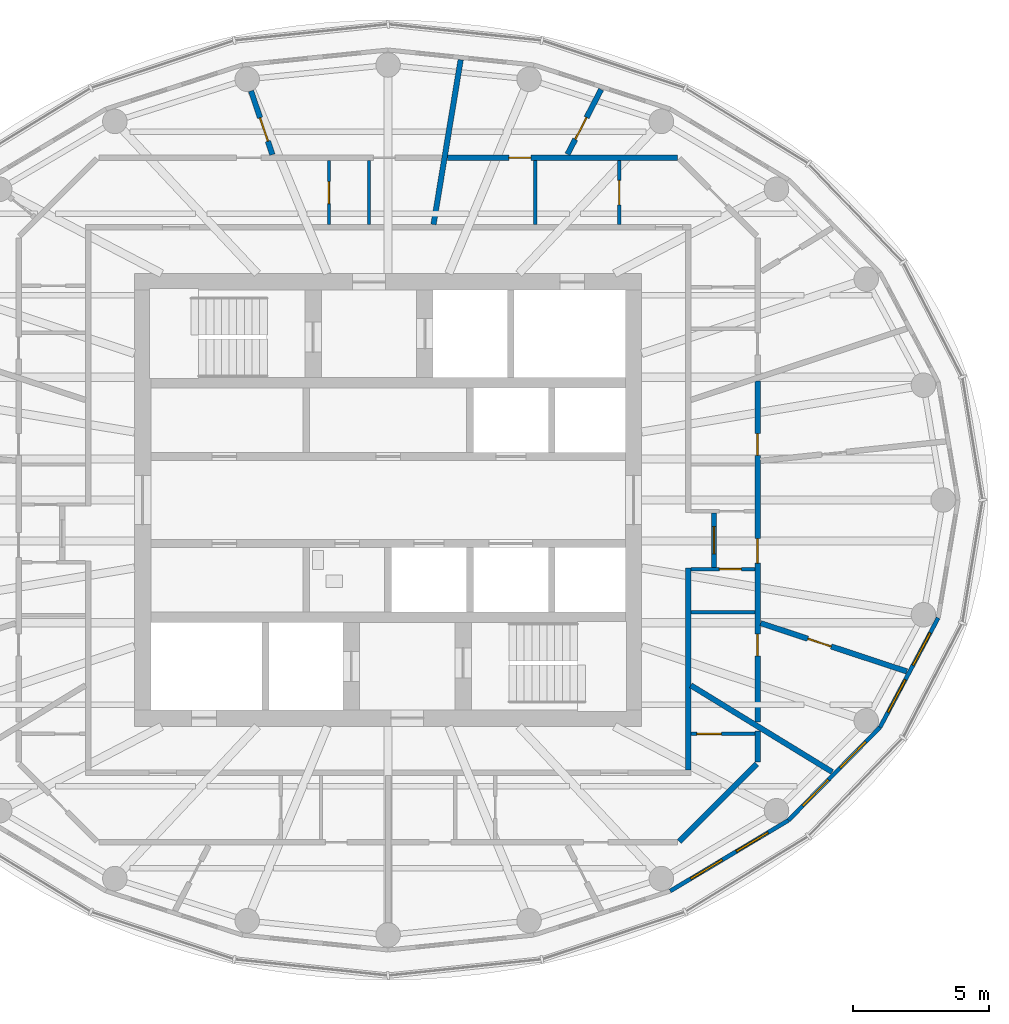
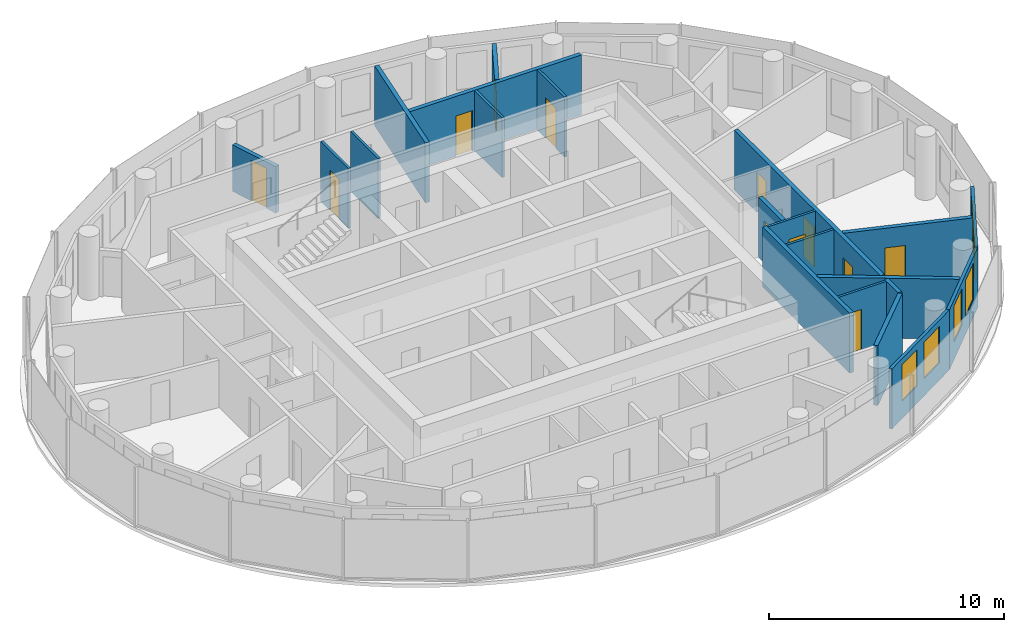
# One storey, part 8 of 12: 21 walls, 12 doors, 6 windows, 18 openings.
"""IFC4 building model written with IfcOpenShell, lengths in metres."""

from ifc_helpers import new_model, si_unit, direction, frame, frame_2d, origin, place, context, subcontext, project, spatial, rectangle, extrude, material, layer, layer_set, type_object, element, fill, save


model = new_model("IFC4")

# Units and contexts
model_context = context("Model", 3, precision=1e-05, world=origin(), true_north=direction((0.0, 1.0)))
body_context = subcontext(model_context, "Body", "Model", "MODEL_VIEW")
ifc_project = project(units=[si_unit("LENGTHUNIT", "METRE"), si_unit("AREAUNIT", "SQUARE_METRE"), si_unit("VOLUMEUNIT", "CUBIC_METRE"), si_unit("PLANEANGLEUNIT", "RADIAN"), si_unit("MASSUNIT", "GRAM", prefix="KILO")], contexts=[model_context])

# Site, building, storey
site_placement = place(None, origin())
site = spatial("IfcSite", under=ifc_project, at=site_placement, CompositionType="ELEMENT")
building_placement = place(site_placement, origin())
building = spatial("IfcBuilding", under=site, at=building_placement, Name="Hankou Lantern Tower", CompositionType="ELEMENT")
storey_placement = place(building_placement, frame((0.0, 0.0, 222.60009765625)))
storey = spatial("IfcBuildingStorey", under=building, at=storey_placement, Name="L60", CompositionType="ELEMENT", Elevation=222.60009765625)

# Wall, openings, windows
ifc_material_1 = material(Name="Aluminium spandrel panel on steel studs", Category="steel")
ifc_layer_1 = layer(ifc_material_1, 0.14990234375)
ifc_layer_set_1 = layer_set([ifc_layer_1], Name="Aluminium spandrel panel on steel studs")
wall_type_1 = type_object("IfcWallType", Name="EW1 INNER SKIN WALL 150", PredefinedType="ELEMENTEDWALL", material=ifc_layer_set_1)
wall_1_placement = place(storey_placement, frame((10.346435546875, -14.33642578125, 0.0), z_axis=(0.0, 0.0, 1.0), x_axis=(0.85822150553, 0.513279502265, 0.0)))
wall_1 = element("IfcWall", 1, at=wall_1_placement, inside=storey, type_object=wall_type_1, Name="Inner skin R21-R22 L60", PredefinedType="ELEMENTEDWALL", context=body_context, shape_type="SweptSolid", body=[
    extrude(rectangle(XDim=5.050048828125, YDim=0.14990234375, at=frame_2d((2.52490234375, 0.0))), origin(), (0.0, 0.0, 1.0), 3.119873046875),
])
opening_1_placement = place(wall_1_placement, frame((0.875, 0.0, 0.89990234375)))
opening_1 = element("IfcOpeningElement", 2, at=opening_1_placement, cuts=wall_1, Name="Opening W4", PredefinedType="OPENING", context=body_context, shape_type="SweptSolid", body=[
    extrude(rectangle(XDim=1.35009765625, YDim=1.89990234375, at=frame_2d((0.675048828125, 0.949951171875))), frame((0.0, 0.0849609375, 0.0), z_axis=(0.0, -1.0, 0.0), x_axis=(1.0, 0.0, 0.0)), (0.0, 0.0, 1.0), 0.169921875),
])
opening_2_placement = place(wall_1_placement, frame((2.824951171875, 0.0, 0.89990234375)))
opening_2 = element("IfcOpeningElement", 3, at=opening_2_placement, cuts=wall_1, Name="Opening W4", PredefinedType="OPENING", context=body_context, shape_type="SweptSolid", body=[
    extrude(rectangle(XDim=1.35009765625, YDim=1.89990234375, at=frame_2d((0.675048828125, 0.949951171875))), frame((0.0, 0.0849609375, 0.0), z_axis=(0.0, -1.0, 0.0), x_axis=(1.0, 0.0, 0.0)), (0.0, 0.0, 1.0), 0.169921875),
])
ifc_material_2 = material(Name="Aluminium framed double glazed window", Category="aluminium")
window_type = type_object("IfcWindowType", Name="W4 SUITE WINDOW 1350X1900", PartitioningType="DOUBLE_PANEL_VERTICAL", PredefinedType="WINDOW", material=ifc_material_2)
window_1_placement = place(opening_1_placement, origin())
window_1 = element("IfcWindow", 4, at=window_1_placement, inside=storey, type_object=window_type, Name="Window R21.1 L60", OverallHeight=1.89990234375, OverallWidth=1.35009765625, PartitioningType="SINGLE_PANEL", PredefinedType="WINDOW", context=body_context, shape_type="SweptSolid", body=[
    extrude(rectangle(XDim=1.35009765625, YDim=1.89990234375, at=frame_2d((0.675048828125, 0.949951171875))), frame((0.0, 0.030029296875, 0.0), z_axis=(0.0, -1.0, 0.0), x_axis=(1.0, 0.0, 0.0)), (0.0, 0.0, 1.0), 0.06005859375),
])
fill(opening_1, window_1)
window_2_placement = place(opening_2_placement, origin())
window_2 = element("IfcWindow", 5, at=window_2_placement, inside=storey, type_object=window_type, Name="Window R21.2 L60", OverallHeight=1.89990234375, OverallWidth=1.35009765625, PartitioningType="SINGLE_PANEL", PredefinedType="WINDOW", context=body_context, shape_type="SweptSolid", body=[
    extrude(rectangle(XDim=1.35009765625, YDim=1.89990234375, at=frame_2d((0.675048828125, 0.949951171875))), frame((0.0, 0.030029296875, 0.0), z_axis=(0.0, -1.0, 0.0), x_axis=(1.0, 0.0, 0.0)), (0.0, 0.0, 1.0), 0.06005859375),
])
fill(opening_2, window_2)

wall_2_placement = place(storey_placement, frame((14.680419921875, -11.744384765625, 0.0), z_axis=(0.0, 0.0, 1.0), x_axis=(0.701527379618, 0.712642501993, 0.0)))
wall_2 = element("IfcWall", 6, at=wall_2_placement, inside=storey, type_object=wall_type_1, Name="Inner skin R22-R23 L60", PredefinedType="ELEMENTEDWALL", context=body_context, shape_type="SweptSolid", body=[
    extrude(rectangle(XDim=4.788330078125, YDim=0.14990234375, at=frame_2d((2.39404296875, 0.0))), origin(), (0.0, 0.0, 1.0), 3.119873046875),
])
opening_3_placement = place(wall_2_placement, frame((0.744140625, 0.0, 0.89990234375)))
opening_3 = element("IfcOpeningElement", 7, at=opening_3_placement, cuts=wall_2, Name="Opening W4", PredefinedType="OPENING", context=body_context, shape_type="SweptSolid", body=[
    extrude(rectangle(XDim=1.35009765625, YDim=1.89990234375, at=frame_2d((0.675048828125, 0.949951171875))), frame((0.0, 0.0849609375, 0.0), z_axis=(0.0, -1.0, 0.0), x_axis=(1.0, 0.0, 0.0)), (0.0, 0.0, 1.0), 0.169921875),
])
opening_4_placement = place(wall_2_placement, frame((2.694091796875, 0.0, 0.89990234375)))
opening_4 = element("IfcOpeningElement", 8, at=opening_4_placement, cuts=wall_2, Name="Opening W4", PredefinedType="OPENING", context=body_context, shape_type="SweptSolid", body=[
    extrude(rectangle(XDim=1.35009765625, YDim=1.89990234375, at=frame_2d((0.675048828125, 0.949951171875))), frame((0.0, 0.0849609375, 0.0), z_axis=(0.0, -1.0, 0.0), x_axis=(1.0, 0.0, 0.0)), (0.0, 0.0, 1.0), 0.169921875),
])
window_3_placement = place(opening_3_placement, origin())
window_3 = element("IfcWindow", 9, at=window_3_placement, inside=storey, type_object=window_type, Name="Window R22.1 L60", OverallHeight=1.89990234375, OverallWidth=1.35009765625, PartitioningType="SINGLE_PANEL", PredefinedType="WINDOW", context=body_context, shape_type="SweptSolid", body=[
    extrude(rectangle(XDim=1.35009765625, YDim=1.89990234375, at=frame_2d((0.675048828125, 0.949951171875))), frame((0.0, 0.030029296875, 0.0), z_axis=(0.0, -1.0, 0.0), x_axis=(1.0, 0.0, 0.0)), (0.0, 0.0, 1.0), 0.06005859375),
])
fill(opening_3, window_3)
window_4_placement = place(opening_4_placement, origin())
window_4 = element("IfcWindow", 10, at=window_4_placement, inside=storey, type_object=window_type, Name="Window R22.2 L60", OverallHeight=1.89990234375, OverallWidth=1.35009765625, PartitioningType="SINGLE_PANEL", PredefinedType="WINDOW", context=body_context, shape_type="SweptSolid", body=[
    extrude(rectangle(XDim=1.35009765625, YDim=1.89990234375, at=frame_2d((0.675048828125, 0.949951171875))), frame((0.0, 0.030029296875, 0.0), z_axis=(0.0, -1.0, 0.0), x_axis=(1.0, 0.0, 0.0)), (0.0, 0.0, 1.0), 0.06005859375),
])
fill(opening_4, window_4)

wall_3_placement = place(storey_placement, frame((18.03955078125, -8.33203125, 0.0), z_axis=(0.0, 0.0, 1.0), x_axis=(0.469256152955, 0.883062094597, 0.0)))
wall_3 = element("IfcWall", 11, at=wall_3_placement, inside=storey, type_object=wall_type_1, Name="Inner skin R23-R24 L60", PredefinedType="ELEMENTEDWALL", context=body_context, shape_type="SweptSolid", body=[
    extrude(rectangle(XDim=4.539306640625, YDim=0.14990234375, at=frame_2d((2.26953125, 0.0))), origin(), (0.0, 0.0, 1.0), 3.119873046875),
])
opening_5_placement = place(wall_3_placement, frame((0.61962890625, 0.0, 0.89990234375)))
opening_5 = element("IfcOpeningElement", 12, at=opening_5_placement, cuts=wall_3, Name="Opening W4", PredefinedType="OPENING", context=body_context, shape_type="SweptSolid", body=[
    extrude(rectangle(XDim=1.35009765625, YDim=1.89990234375, at=frame_2d((0.675048828125, 0.949951171875))), frame((0.0, 0.0849609375, 0.0), z_axis=(0.0, -1.0, 0.0), x_axis=(1.0, 0.0, 0.0)), (0.0, 0.0, 1.0), 0.169921875),
])
opening_6_placement = place(wall_3_placement, frame((2.569580078125, 0.0, 0.89990234375)))
opening_6 = element("IfcOpeningElement", 13, at=opening_6_placement, cuts=wall_3, Name="Opening W4", PredefinedType="OPENING", context=body_context, shape_type="SweptSolid", body=[
    extrude(rectangle(XDim=1.35009765625, YDim=1.89990234375, at=frame_2d((0.675048828125, 0.949951171875))), frame((0.0, 0.0849609375, 0.0), z_axis=(0.0, -1.0, 0.0), x_axis=(1.0, 0.0, 0.0)), (0.0, 0.0, 1.0), 0.169921875),
])
window_5_placement = place(opening_5_placement, origin())
window_5 = element("IfcWindow", 14, at=window_5_placement, inside=storey, type_object=window_type, Name="Window R23.1 L60", OverallHeight=1.89990234375, OverallWidth=1.35009765625, PartitioningType="SINGLE_PANEL", PredefinedType="WINDOW", context=body_context, shape_type="SweptSolid", body=[
    extrude(rectangle(XDim=1.35009765625, YDim=1.89990234375, at=frame_2d((0.675048828125, 0.949951171875))), frame((0.0, 0.030029296875, 0.0), z_axis=(0.0, -1.0, 0.0), x_axis=(1.0, 0.0, 0.0)), (0.0, 0.0, 1.0), 0.06005859375),
])
fill(opening_5, window_5)
window_6_placement = place(opening_6_placement, origin())
window_6 = element("IfcWindow", 15, at=window_6_placement, inside=storey, type_object=window_type, Name="Window R23.2 L60", OverallHeight=1.89990234375, OverallWidth=1.35009765625, PartitioningType="SINGLE_PANEL", PredefinedType="WINDOW", context=body_context, shape_type="SweptSolid", body=[
    extrude(rectangle(XDim=1.35009765625, YDim=1.89990234375, at=frame_2d((0.675048828125, 0.949951171875))), frame((0.0, 0.030029296875, 0.0), z_axis=(0.0, -1.0, 0.0), x_axis=(1.0, 0.0, 0.0)), (0.0, 0.0, 1.0), 0.06005859375),
])
fill(opening_6, window_6)

# Walls
ifc_material_3 = material(Name="Masonry lightweight concrete block", Category="masonry")
ifc_layer_2 = layer(ifc_material_3, 0.199951171875)
ifc_layer_set_2 = layer_set([ifc_layer_2], Name="Masonry lightweight concrete block")
wall_type_2 = type_object("IfcWallType", Name="IW1 GUEST ROOM PARTY WALL 200", PredefinedType="PARTITIONING", material=ifc_layer_set_2)
wall_4_placement = place(storey_placement, frame((1.665771484375, 10.10009765625, 0.0), z_axis=(0.0, 0.0, 1.0), x_axis=(0.162710847913, 0.986673796131, 0.0)))
element("IfcWall", 16, at=wall_4_placement, inside=storey, type_object=wall_type_2, Name="Party wall R06-R07", PredefinedType="PARTITIONING", context=body_context, shape_type="SweptSolid", body=[
    extrude(rectangle(XDim=6.121826171875, YDim=0.199951171875, at=frame_2d((3.06103515625, 0.0))), origin(), (0.0, 0.0, 1.0), 3.119873046875),
])
wall_5_placement = place(storey_placement, frame((11.10009765625, -6.79736328125, 0.0), z_axis=(0.0, 0.0, 1.0), x_axis=(0.852799818179, -0.522237943963, 0.0)))
element("IfcWall", 17, at=wall_5_placement, inside=storey, type_object=wall_type_2, Name="Party wall R22-R23", PredefinedType="PARTITIONING", context=body_context, shape_type="SweptSolid", body=[
    extrude(rectangle(XDim=6.076904296875, YDim=0.199951171875, at=frame_2d((3.03857421875, 0.0))), origin(), (0.0, 0.0, 1.0), 3.119873046875),
])
ifc_material_4 = material(Name="Masonry lightweight concrete block", Category="masonry")
ifc_layer_3 = layer(ifc_material_4, 0.199951171875)
ifc_layer_set_3 = layer_set([ifc_layer_3], Name="Masonry lightweight concrete block")
wall_type_3 = type_object("IfcWallType", Name="IW2 CORRIDOR WALL 200", PredefinedType="PARTITIONING", material=ifc_layer_set_3)
wall_6_placement = place(storey_placement, frame((11.0, -9.89990234375, 0.0), z_axis=(0.0, 0.0, 1.0), x_axis=(0.0, 1.0, 0.0)))
element("IfcWall", 18, at=wall_6_placement, inside=storey, type_object=wall_type_3, Name="Corridor wall east", PredefinedType="PARTITIONING", context=body_context, shape_type="SweptSolid", body=[
    extrude(rectangle(XDim=7.41552734375, YDim=0.199951171875, at=frame_2d((3.707763671875, 0.0))), origin(), (0.0, 0.0, 1.0), 3.119873046875),
])

# Wall, opening, door
wall_7_placement = place(storey_placement, frame((11.949951171875, -2.474365234375, 0.0), z_axis=(0.0, 0.0, 1.0), x_axis=(0.0, 1.0, 0.0)))
wall_7 = element("IfcWall", 19, at=wall_7_placement, inside=storey, type_object=wall_type_3, Name="Suite entrance recess wall 6006", PredefinedType="PARTITIONING", context=body_context, shape_type="SweptSolid", body=[
    extrude(rectangle(XDim=2.0, YDim=0.199951171875, at=frame_2d((1.0, 0.0))), origin(), (0.0, 0.0, 1.0), 3.119873046875),
])
opening_7_placement = place(wall_7_placement, frame((0.5, 0.0, 0.0)))
opening_7 = element("IfcOpeningElement", 20, at=opening_7_placement, cuts=wall_7, Name="Opening D2", PredefinedType="OPENING", context=body_context, shape_type="SweptSolid", body=[
    extrude(rectangle(XDim=1.0, YDim=2.199951171875, at=frame_2d((0.5, 1.10009765625))), frame((0.0, 0.10986328125, 0.0), z_axis=(0.0, -1.0, 0.0), x_axis=(1.0, 0.0, 0.0)), (0.0, 0.0, 1.0), 0.219970703125),
])
ifc_material_5 = material(Name="Steel door leaf", Category="steel")
door_type_1 = type_object("IfcDoorType", Name="D2 SUITE DOOR 1000X2200", OperationType="SINGLE_SWING_LEFT", PredefinedType="DOOR", material=ifc_material_5)
door_1_placement = place(opening_7_placement, origin())
door_1 = element("IfcDoor", 21, at=door_1_placement, inside=storey, type_object=door_type_1, Name="Suite door 6006", OperationType="SINGLE_SWING_RIGHT", OverallHeight=2.199951171875, OverallWidth=1.0, PredefinedType="DOOR", context=body_context, shape_type="SweptSolid", body=[
    extrude(rectangle(XDim=1.0, YDim=2.199951171875, at=frame_2d((0.5, 1.10009765625))), frame((0.0, 0.02490234375, 0.0), z_axis=(0.0, -1.0, 0.0), x_axis=(1.0, 0.0, 0.0)), (0.0, 0.0, 1.0), 0.050048828125),
])
fill(opening_7, door_1)

ifc_material_6 = material(Name="Masonry lightweight concrete block", Category="masonry")
ifc_layer_4 = layer(ifc_material_6, 0.1201171875)
ifc_layer_set_4 = layer_set([ifc_layer_4], Name="Masonry lightweight concrete block")
wall_type_4 = type_object("IfcWallType", Name="IW3 BATHROOM WALL 120", PredefinedType="PARTITIONING", material=ifc_layer_set_4)
wall_8_placement = place(storey_placement, frame((8.474853515625, 10.10009765625, 0.0), z_axis=(0.0, 0.0, 1.0), x_axis=(0.0, 1.0, 0.0)))
wall_8 = element("IfcWall", 22, at=wall_8_placement, inside=storey, type_object=wall_type_4, Name="Box wall 6001 3", PredefinedType="PARTITIONING", context=body_context, shape_type="SweptSolid", body=[
    extrude(rectangle(XDim=2.349853515625, YDim=0.1201171875, at=frame_2d((1.1748046875, 0.0))), origin(), (0.0, 0.0, 1.0), 3.119873046875),
])
opening_8_placement = place(wall_8_placement, frame((0.719970703125, 0.0, 0.0)))
opening_8 = element("IfcOpeningElement", 23, at=opening_8_placement, cuts=wall_8, Name="Opening D27", PredefinedType="OPENING", context=body_context, shape_type="SweptSolid", body=[
    extrude(rectangle(XDim=0.89990234375, YDim=2.10009765625, at=frame_2d((0.449951171875, 1.050048828125))), frame((0.0, 0.070068359375, 0.0), z_axis=(0.0, -1.0, 0.0), x_axis=(1.0, 0.0, 0.0)), (0.0, 0.0, 1.0), 0.14013671875),
])
ifc_material_7 = material(Name="Timber door leaf", Category="wood")
door_type_2 = type_object("IfcDoorType", Name="D27 INTERNAL DOOR 900X2100", OperationType="SINGLE_SWING_LEFT", PredefinedType="DOOR", material=ifc_material_7)
door_2_placement = place(opening_8_placement, origin())
door_2 = element("IfcDoor", 24, at=door_2_placement, inside=storey, type_object=door_type_2, Name="Family suite 6001 walk-in wardrobe door", OperationType="SINGLE_SWING_LEFT", OverallHeight=2.10009765625, OverallWidth=0.89990234375, PredefinedType="DOOR", context=body_context, shape_type="SweptSolid", body=[
    extrude(rectangle(XDim=0.89990234375, YDim=2.10009765625, at=frame_2d((0.449951171875, 1.050048828125))), frame((0.0, 0.02490234375, 0.0), z_axis=(0.0, -1.0, 0.0), x_axis=(1.0, 0.0, 0.0)), (0.0, 0.0, 1.0), 0.050048828125),
])
fill(opening_8, door_2)

# Walls
for number, where, z_axis, x_axis, name in (
    (25, (5.392822265625, 10.10009765625, 0.0), (0.0, 0.0, 1.0), (0.0, 1.0, 0.0), "Box wall 6001 4"),
    (26, (-0.700439453125, 10.10009765625, 0.0), (0.0, 0.0, 1.0), (0.0, 1.0, 0.0), "Box wall 6002 1"),
):
    element("IfcWall", number, at=place(storey_placement, frame(where, z_axis=z_axis, x_axis=x_axis)), inside=storey, type_object=wall_type_4, Name=name, PredefinedType="PARTITIONING", context=body_context, shape_type="SweptSolid", body=[
        extrude(rectangle(XDim=2.349853515625, YDim=0.1201171875, at=frame_2d((1.1748046875, 0.0))), origin(), (0.0, 0.0, 1.0), 3.119873046875),
    ])

# Wall, opening, door
wall_9_placement = place(storey_placement, frame((-2.17041015625, 10.10009765625, 0.0), z_axis=(0.0, 0.0, 1.0), x_axis=(0.0, 1.0, 0.0)))
wall_9 = element("IfcWall", 27, at=wall_9_placement, inside=storey, type_object=wall_type_4, Name="Box wall 6002 2", PredefinedType="PARTITIONING", context=body_context, shape_type="SweptSolid", body=[
    extrude(rectangle(XDim=2.349853515625, YDim=0.1201171875, at=frame_2d((1.1748046875, 0.0))), origin(), (0.0, 0.0, 1.0), 3.119873046875),
])
opening_9_placement = place(wall_9_placement, frame((0.77001953125, 0.0, 0.0)))
opening_9 = element("IfcOpeningElement", 28, at=opening_9_placement, cuts=wall_9, Name="Opening D3", PredefinedType="OPENING", context=body_context, shape_type="SweptSolid", body=[
    extrude(rectangle(XDim=0.800048828125, YDim=2.10009765625, at=frame_2d((0.39990234375, 1.050048828125))), frame((0.0, 0.070068359375, 0.0), z_axis=(0.0, -1.0, 0.0), x_axis=(1.0, 0.0, 0.0)), (0.0, 0.0, 1.0), 0.14013671875),
])
ifc_material_8 = material(Name="Timber door leaf", Category="wood")
door_type_3 = type_object("IfcDoorType", Name="D3 BATHROOM DOOR 800X2100", OperationType="SINGLE_SWING_LEFT", PredefinedType="DOOR", material=ifc_material_8)
door_3_placement = place(opening_9_placement, origin())
door_3 = element("IfcDoor", 29, at=door_3_placement, inside=storey, type_object=door_type_3, Name="Family suite 6002 guest WC door", OperationType="SINGLE_SWING_LEFT", OverallHeight=2.10009765625, OverallWidth=0.800048828125, PredefinedType="DOOR", context=body_context, shape_type="SweptSolid", body=[
    extrude(rectangle(XDim=0.800048828125, YDim=2.10009765625, at=frame_2d((0.39990234375, 1.050048828125))), frame((0.0, 0.02490234375, 0.0), z_axis=(0.0, -1.0, 0.0), x_axis=(1.0, 0.0, 0.0)), (0.0, 0.0, 1.0), 0.050048828125),
])
fill(opening_9, door_3)

wall_10_placement = place(storey_placement, frame((11.10009765625, -8.57568359375, 0.0), z_axis=(0.0, 0.0, 1.0), x_axis=(1.0, 0.0, 0.0)))
wall_10 = element("IfcWall", 30, at=wall_10_placement, inside=storey, type_object=wall_type_4, Name="Box wall 6005 3", PredefinedType="PARTITIONING", context=body_context, shape_type="SweptSolid", body=[
    extrude(rectangle(XDim=2.349853515625, YDim=0.1201171875, at=frame_2d((1.1748046875, 0.0))), origin(), (0.0, 0.0, 1.0), 3.119873046875),
])
opening_10_placement = place(wall_10_placement, frame((0.219970703125, 0.0, 0.0)))
opening_10 = element("IfcOpeningElement", 31, at=opening_10_placement, cuts=wall_10, Name="Opening D27", PredefinedType="OPENING", context=body_context, shape_type="SweptSolid", body=[
    extrude(rectangle(XDim=0.89990234375, YDim=2.10009765625, at=frame_2d((0.449951171875, 1.050048828125))), frame((0.0, 0.070068359375, 0.0), z_axis=(0.0, -1.0, 0.0), x_axis=(1.0, 0.0, 0.0)), (0.0, 0.0, 1.0), 0.14013671875),
])
door_4_placement = place(opening_10_placement, origin())
door_4 = element("IfcDoor", 32, at=door_4_placement, inside=storey, type_object=door_type_2, Name="Suite 6005 walk-in wardrobe door", OperationType="SINGLE_SWING_LEFT", OverallHeight=2.10009765625, OverallWidth=0.89990234375, PredefinedType="DOOR", context=body_context, shape_type="SweptSolid", body=[
    extrude(rectangle(XDim=0.89990234375, YDim=2.10009765625, at=frame_2d((0.449951171875, 1.050048828125))), frame((0.0, 0.02490234375, 0.0), z_axis=(0.0, -1.0, 0.0), x_axis=(1.0, 0.0, 0.0)), (0.0, 0.0, 1.0), 0.050048828125),
])
fill(opening_10, door_4)

# Wall
wall_11_placement = place(storey_placement, frame((11.10009765625, -4.115234375, 0.0), z_axis=(0.0, 0.0, 1.0), x_axis=(1.0, 0.0, 0.0)))
element("IfcWall", 33, at=wall_11_placement, inside=storey, type_object=wall_type_4, Name="Box wall 6006 1", PredefinedType="PARTITIONING", context=body_context, shape_type="SweptSolid", body=[
    extrude(rectangle(XDim=2.349853515625, YDim=0.1201171875, at=frame_2d((1.1748046875, 0.0))), origin(), (0.0, 0.0, 1.0), 3.119873046875),
])

# Wall, opening, door
wall_12_placement = place(storey_placement, frame((11.10009765625, -2.534423828125, 0.0), z_axis=(0.0, 0.0, 1.0), x_axis=(1.0, 0.0, 0.0)))
wall_12 = element("IfcWall", 34, at=wall_12_placement, inside=storey, type_object=wall_type_4, Name="Box wall 6006 2", PredefinedType="PARTITIONING", context=body_context, shape_type="SweptSolid", body=[
    extrude(rectangle(XDim=2.349853515625, YDim=0.1201171875, at=frame_2d((1.1748046875, 0.0))), origin(), (0.0, 0.0, 1.0), 3.119873046875),
])
opening_11_placement = place(wall_12_placement, frame((1.050048828125, 0.0, 0.0)))
opening_11 = element("IfcOpeningElement", 35, at=opening_11_placement, cuts=wall_12, Name="Opening D3", PredefinedType="OPENING", context=body_context, shape_type="SweptSolid", body=[
    extrude(rectangle(XDim=0.800048828125, YDim=2.10009765625, at=frame_2d((0.39990234375, 1.050048828125))), frame((0.0, 0.070068359375, 0.0), z_axis=(0.0, -1.0, 0.0), x_axis=(1.0, 0.0, 0.0)), (0.0, 0.0, 1.0), 0.14013671875),
])
door_5_placement = place(opening_11_placement, origin())
door_5 = element("IfcDoor", 36, at=door_5_placement, inside=storey, type_object=door_type_3, Name="Family suite 6006 guest WC door", OperationType="SINGLE_SWING_LEFT", OverallHeight=2.10009765625, OverallWidth=0.800048828125, PredefinedType="DOOR", context=body_context, shape_type="SweptSolid", body=[
    extrude(rectangle(XDim=0.800048828125, YDim=2.10009765625, at=frame_2d((0.39990234375, 1.050048828125))), frame((0.0, 0.02490234375, 0.0), z_axis=(0.0, -1.0, 0.0), x_axis=(1.0, 0.0, 0.0)), (0.0, 0.0, 1.0), 0.050048828125),
])
fill(opening_11, door_5)

ifc_material_9 = material(Name="Masonry lightweight concrete block", Category="masonry")
ifc_layer_5 = layer(ifc_material_9, 0.199951171875)
ifc_layer_set_5 = layer_set([ifc_layer_5], Name="Masonry lightweight concrete block")
wall_type_5 = type_object("IfcWallType", Name="IW6 SUITE PARTITION 200", PredefinedType="PARTITIONING", material=ifc_layer_set_5)
wall_13_placement = place(storey_placement, frame((10.608642578125, 12.550048828125, 0.0), z_axis=(0.0, 0.0, 1.0), x_axis=(-1.0, 0.0, 0.0)))
wall_13 = element("IfcWall", 37, at=wall_13_placement, inside=storey, type_object=wall_type_5, Name="Suite foyer wall 6001", PredefinedType="PARTITIONING", context=body_context, shape_type="SweptSolid", body=[
    extrude(rectangle(XDim=8.4365234375, YDim=0.199951171875, at=frame_2d((4.21826171875, 0.0))), origin(), (0.0, 0.0, 1.0), 3.119873046875),
])
opening_12_placement = place(wall_13_placement, frame((5.375732421875, 0.0, 0.0)))
opening_12 = element("IfcOpeningElement", 38, at=opening_12_placement, cuts=wall_13, Name="Opening D3", PredefinedType="OPENING", context=body_context, shape_type="SweptSolid", body=[
    extrude(rectangle(XDim=0.800048828125, YDim=2.10009765625, at=frame_2d((0.39990234375, 1.050048828125))), frame((0.0, 0.10986328125, 0.0), z_axis=(0.0, -1.0, 0.0), x_axis=(1.0, 0.0, 0.0)), (0.0, 0.0, 1.0), 0.219970703125),
])
door_6_placement = place(opening_12_placement, origin())
door_6 = element("IfcDoor", 39, at=door_6_placement, inside=storey, type_object=door_type_3, Name="Family suite 6001 second bathroom door", OperationType="SINGLE_SWING_LEFT", OverallHeight=2.10009765625, OverallWidth=0.800048828125, PredefinedType="DOOR", context=body_context, shape_type="SweptSolid", body=[
    extrude(rectangle(XDim=0.800048828125, YDim=2.10009765625, at=frame_2d((0.39990234375, 1.050048828125))), frame((0.0, 0.02490234375, 0.0), z_axis=(0.0, -1.0, 0.0), x_axis=(1.0, 0.0, 0.0)), (0.0, 0.0, 1.0), 0.050048828125),
])
fill(opening_12, door_6)

wall_14_placement = place(storey_placement, frame((6.578125, 12.676513671875, 0.0), z_axis=(0.0, 0.0, 1.0), x_axis=(0.460620531465, 0.887597164255, 0.0)))
wall_14 = element("IfcWall", 40, at=wall_14_placement, inside=storey, type_object=wall_type_5, Name="Suite partition R05-R06", PredefinedType="PARTITIONING", context=body_context, shape_type="SweptSolid", body=[
    extrude(rectangle(XDim=2.677734375, YDim=0.199951171875, at=frame_2d((1.3388671875, 0.0))), origin(), (0.0, 0.0, 1.0), 3.119873046875),
])
opening_13_placement = place(wall_14_placement, frame((0.6201171875, 0.0, 0.0)))
opening_13 = element("IfcOpeningElement", 41, at=opening_13_placement, cuts=wall_14, Name="Opening D27", PredefinedType="OPENING", context=body_context, shape_type="SweptSolid", body=[
    extrude(rectangle(XDim=0.89990234375, YDim=2.10009765625, at=frame_2d((0.449951171875, 1.050048828125))), frame((0.0, 0.10986328125, 0.0), z_axis=(0.0, -1.0, 0.0), x_axis=(1.0, 0.0, 0.0)), (0.0, 0.0, 1.0), 0.219970703125),
])
door_7_placement = place(opening_13_placement, origin())
door_7 = element("IfcDoor", 42, at=door_7_placement, inside=storey, type_object=door_type_2, Name="Family suite 6001 second bedroom door", OperationType="SINGLE_SWING_LEFT", OverallHeight=2.10009765625, OverallWidth=0.89990234375, PredefinedType="DOOR", context=body_context, shape_type="SweptSolid", body=[
    extrude(rectangle(XDim=0.89990234375, YDim=2.10009765625, at=frame_2d((0.449951171875, 1.050048828125))), frame((0.0, 0.02490234375, 0.0), z_axis=(0.0, -1.0, 0.0), x_axis=(1.0, 0.0, 0.0)), (0.0, 0.0, 1.0), 0.050048828125),
])
fill(opening_13, door_7)

wall_15_placement = place(storey_placement, frame((-4.24169921875, 12.664306640625, 0.0), z_axis=(0.0, 0.0, 1.0), x_axis=(-0.317594928911, 0.948226481981, 0.0)))
wall_15 = element("IfcWall", 43, at=wall_15_placement, inside=storey, type_object=wall_type_5, Name="Suite partition R08", PredefinedType="PARTITIONING", context=body_context, shape_type="SweptSolid", body=[
    extrude(rectangle(XDim=2.463623046875, YDim=0.199951171875, at=frame_2d((1.23193359375, 0.0))), origin(), (0.0, 0.0, 1.0), 2.419921875),
])
opening_14_placement = place(wall_15_placement, frame((0.52001953125, 0.0, 0.0)))
opening_14 = element("IfcOpeningElement", 44, at=opening_14_placement, cuts=wall_15, Name="Opening D27", PredefinedType="OPENING", context=body_context, shape_type="SweptSolid", body=[
    extrude(rectangle(XDim=0.89990234375, YDim=2.10009765625, at=frame_2d((0.449951171875, 1.050048828125))), frame((0.0, 0.10986328125, 0.0), z_axis=(0.0, -1.0, 0.0), x_axis=(1.0, 0.0, 0.0)), (0.0, 0.0, 1.0), 0.219970703125),
])
door_8_placement = place(opening_14_placement, origin())
door_8 = element("IfcDoor", 45, at=door_8_placement, inside=storey, type_object=door_type_2, Name="Family suite 6002 bedroom door", OperationType="SINGLE_SWING_LEFT", OverallHeight=2.10009765625, OverallWidth=0.89990234375, PredefinedType="DOOR", context=body_context, shape_type="SweptSolid", body=[
    extrude(rectangle(XDim=0.89990234375, YDim=2.10009765625, at=frame_2d((0.449951171875, 1.050048828125))), frame((0.0, 0.02490234375, 0.0), z_axis=(0.0, -1.0, 0.0), x_axis=(1.0, 0.0, 0.0)), (0.0, 0.0, 1.0), 0.050048828125),
])
fill(opening_14, door_8)

# Walls
wall_16_placement = place(storey_placement, frame((10.67919921875, -12.520751953125, 0.0), z_axis=(0.0, 0.0, 1.0), x_axis=(0.707106781187, 0.707106781187, 0.0)))
element("IfcWall", 46, at=wall_16_placement, inside=storey, type_object=wall_type_5, Name="Suite foyer wall 6005", PredefinedType="PARTITIONING", context=body_context, shape_type="SweptSolid", body=[
    extrude(rectangle(XDim=4.0185546875, YDim=0.199951171875, at=frame_2d((2.00927734375, 0.0))), origin(), (0.0, 0.0, 1.0), 3.119873046875),
])
wall_17_placement = place(storey_placement, frame((13.550048828125, -9.608642578125, 0.0), z_axis=(0.0, 0.0, 1.0), x_axis=(0.0, 1.0, 0.0)))
element("IfcWall", 47, at=wall_17_placement, inside=storey, type_object=wall_type_5, Name="Suite foyer wall 6005", PredefinedType="PARTITIONING", context=body_context, shape_type="SweptSolid", body=[
    extrude(rectangle(XDim=1.147705078125, YDim=0.199951171875, at=frame_2d((0.57373046875, 0.0))), origin(), (0.0, 0.0, 1.0), 3.119873046875),
])

# Wall, openings, doors
wall_18_placement = place(storey_placement, frame((13.550048828125, -8.13916015625, 0.0), z_axis=(0.0, 0.0, 1.0), x_axis=(0.0, 1.0, 0.0)))
wall_18 = element("IfcWall", 48, at=wall_18_placement, inside=storey, type_object=wall_type_5, Name="Suite foyer wall 6006", PredefinedType="PARTITIONING", context=body_context, shape_type="SweptSolid", body=[
    extrude(rectangle(XDim=12.496337890625, YDim=0.199951171875, at=frame_2d((6.248046875, 0.0))), origin(), (0.0, 0.0, 1.0), 3.119873046875),
])
opening_15_placement = place(wall_18_placement, frame((2.419921875, 0.0, 0.0)))
opening_15 = element("IfcOpeningElement", 49, at=opening_15_placement, cuts=wall_18, Name="Opening D3", PredefinedType="OPENING", context=body_context, shape_type="SweptSolid", body=[
    extrude(rectangle(XDim=0.800048828125, YDim=2.10009765625, at=frame_2d((0.39990234375, 1.050048828125))), frame((0.0, 0.10986328125, 0.0), z_axis=(0.0, -1.0, 0.0), x_axis=(1.0, 0.0, 0.0)), (0.0, 0.0, 1.0), 0.219970703125),
])
opening_16_placement = place(wall_18_placement, frame((9.775634765625, 0.0, 0.0)))
opening_16 = element("IfcOpeningElement", 50, at=opening_16_placement, cuts=wall_18, Name="Opening D3", PredefinedType="OPENING", context=body_context, shape_type="SweptSolid", body=[
    extrude(rectangle(XDim=0.800048828125, YDim=2.10009765625, at=frame_2d((0.39990234375, 1.050048828125))), frame((0.0, 0.10986328125, 0.0), z_axis=(0.0, -1.0, 0.0), x_axis=(1.0, 0.0, 0.0)), (0.0, 0.0, 1.0), 0.219970703125),
])
opening_17_placement = place(wall_18_placement, frame((5.820068359375, 0.0, 0.0)))
opening_17 = element("IfcOpeningElement", 51, at=opening_17_placement, cuts=wall_18, Name="Opening D27", PredefinedType="OPENING", context=body_context, shape_type="SweptSolid", body=[
    extrude(rectangle(XDim=0.89990234375, YDim=2.10009765625, at=frame_2d((0.449951171875, 1.050048828125))), frame((0.0, 0.10986328125, 0.0), z_axis=(0.0, -1.0, 0.0), x_axis=(1.0, 0.0, 0.0)), (0.0, 0.0, 1.0), 0.219970703125),
])
door_9_placement = place(opening_17_placement, origin())
door_9 = element("IfcDoor", 52, at=door_9_placement, inside=storey, type_object=door_type_2, Name="Family suite 6006 living room door", OperationType="SINGLE_SWING_LEFT", OverallHeight=2.10009765625, OverallWidth=0.89990234375, PredefinedType="DOOR", context=body_context, shape_type="SweptSolid", body=[
    extrude(rectangle(XDim=0.89990234375, YDim=2.10009765625, at=frame_2d((0.449951171875, 1.050048828125))), frame((0.0, 0.02490234375, 0.0), z_axis=(0.0, -1.0, 0.0), x_axis=(1.0, 0.0, 0.0)), (0.0, 0.0, 1.0), 0.050048828125),
])
fill(opening_17, door_9)
door_10_placement = place(opening_15_placement, origin())
door_10 = element("IfcDoor", 53, at=door_10_placement, inside=storey, type_object=door_type_3, Name="Family suite 6006 bathroom door", OperationType="SINGLE_SWING_RIGHT", OverallHeight=2.10009765625, OverallWidth=0.800048828125, PredefinedType="DOOR", context=body_context, shape_type="SweptSolid", body=[
    extrude(rectangle(XDim=0.800048828125, YDim=2.10009765625, at=frame_2d((0.39990234375, 1.050048828125))), frame((0.0, 0.02490234375, 0.0), z_axis=(0.0, -1.0, 0.0), x_axis=(1.0, 0.0, 0.0)), (0.0, 0.0, 1.0), 0.050048828125),
])
fill(opening_15, door_10)
door_11_placement = place(opening_16_placement, origin())
door_11 = element("IfcDoor", 54, at=door_11_placement, inside=storey, type_object=door_type_3, Name="Family suite 6006 second bathroom door", OperationType="SINGLE_SWING_LEFT", OverallHeight=2.10009765625, OverallWidth=0.800048828125, PredefinedType="DOOR", context=body_context, shape_type="SweptSolid", body=[
    extrude(rectangle(XDim=0.800048828125, YDim=2.10009765625, at=frame_2d((0.39990234375, 1.050048828125))), frame((0.0, 0.02490234375, 0.0), z_axis=(0.0, -1.0, 0.0), x_axis=(1.0, 0.0, 0.0)), (0.0, 0.0, 1.0), 0.050048828125),
])
fill(opening_16, door_11)

# Wall, opening, door
wall_19_placement = place(storey_placement, frame((13.664306640625, -4.516357421875, 0.0), z_axis=(0.0, 0.0, 1.0), x_axis=(0.949481375941, -0.313823384632, 0.0)))
wall_19 = element("IfcWall", 55, at=wall_19_placement, inside=storey, type_object=wall_type_5, Name="Suite partition R23-R24", PredefinedType="PARTITIONING", context=body_context, shape_type="SweptSolid", body=[
    extrude(rectangle(XDim=5.637939453125, YDim=0.199951171875, at=frame_2d((2.81884765625, 0.0))), origin(), (0.0, 0.0, 1.0), 3.119873046875),
])
opening_18_placement = place(wall_19_placement, frame((1.820068359375, 0.0, 0.0)))
opening_18 = element("IfcOpeningElement", 56, at=opening_18_placement, cuts=wall_19, Name="Opening D27", PredefinedType="OPENING", context=body_context, shape_type="SweptSolid", body=[
    extrude(rectangle(XDim=0.89990234375, YDim=2.10009765625, at=frame_2d((0.449951171875, 1.050048828125))), frame((0.0, 0.10986328125, 0.0), z_axis=(0.0, -1.0, 0.0), x_axis=(1.0, 0.0, 0.0)), (0.0, 0.0, 1.0), 0.219970703125),
])
door_12_placement = place(opening_18_placement, origin())
door_12 = element("IfcDoor", 57, at=door_12_placement, inside=storey, type_object=door_type_2, Name="Family suite 6006 bedroom door", OperationType="SINGLE_SWING_LEFT", OverallHeight=2.10009765625, OverallWidth=0.89990234375, PredefinedType="DOOR", context=body_context, shape_type="SweptSolid", body=[
    extrude(rectangle(XDim=0.89990234375, YDim=2.10009765625, at=frame_2d((0.449951171875, 1.050048828125))), frame((0.0, 0.02490234375, 0.0), z_axis=(0.0, -1.0, 0.0), x_axis=(1.0, 0.0, 0.0)), (0.0, 0.0, 1.0), 0.050048828125),
])
fill(opening_18, door_12)

save(model, "model.ifc")
